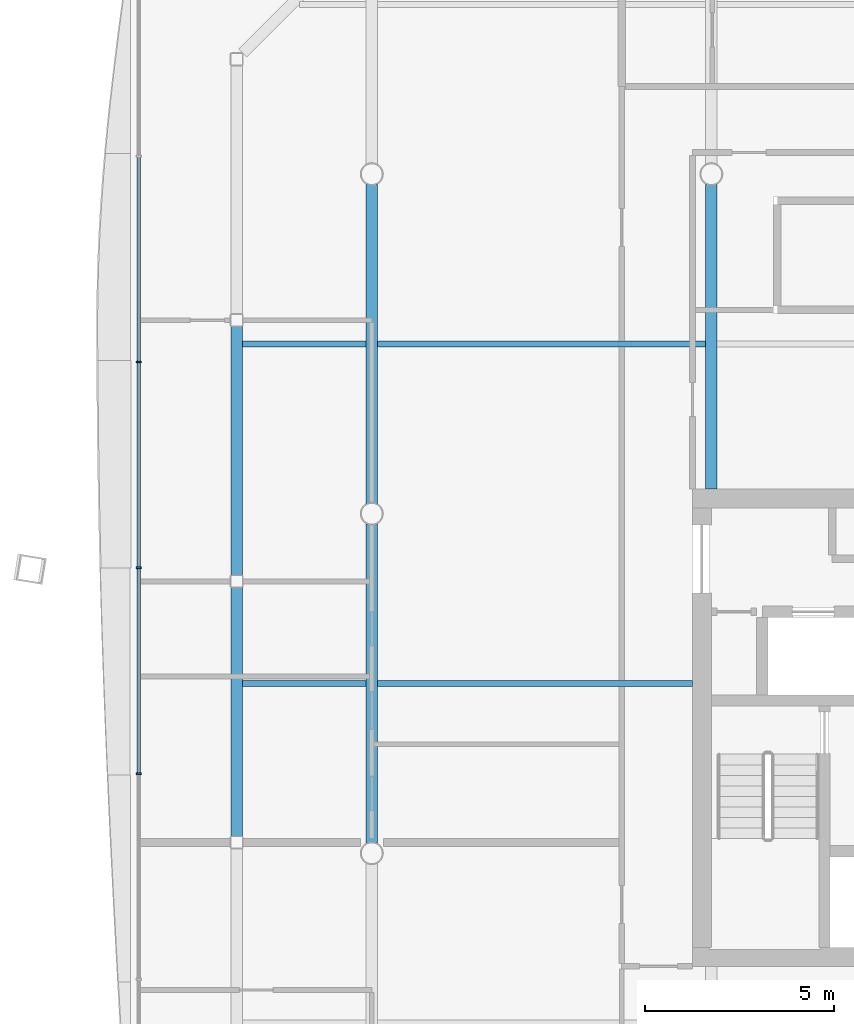
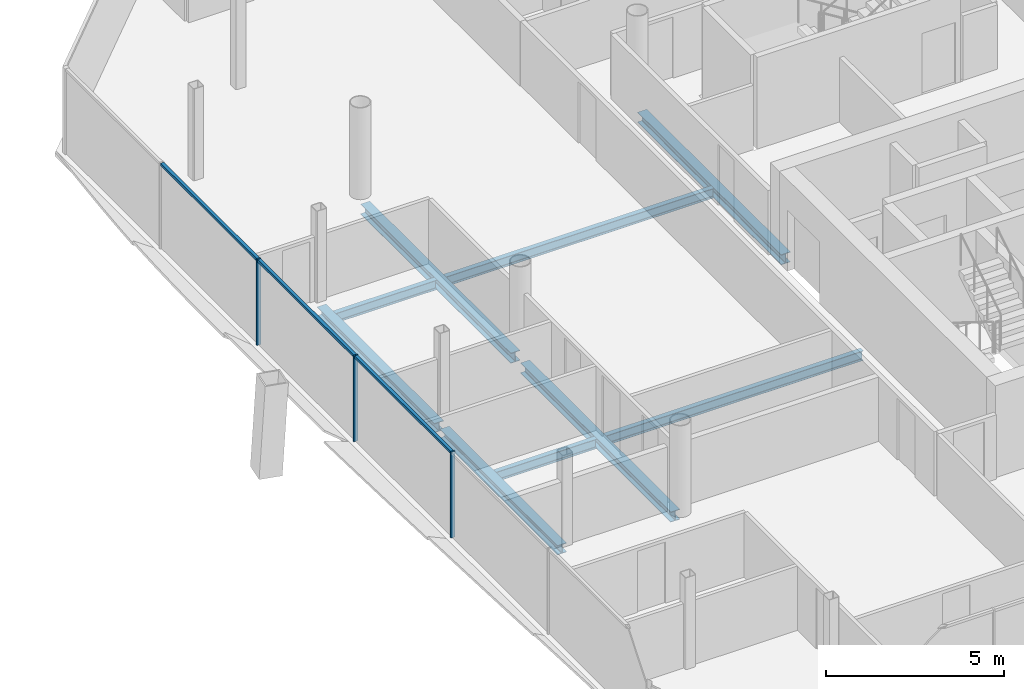
# One storey, part 6 of 20: 9 beams, 6 members, 1 element without a shape of its own.
"""IFC4 building model written with IfcOpenShell, lengths in metres."""

from ifc_helpers import new_model, si_unit, direction, frame, origin, origin_2d, place, context, subcontext, project, spatial, rectangle, i_section, extrude, material, material_profile, profile_set, type_object, element, aggregate, save


model = new_model("IFC4")

# Units and contexts
model_context = context("Model", 3, precision=1e-05, world=origin(), true_north=direction((0.0, 1.0)))
body_context = subcontext(model_context, "Body", "Model", "MODEL_VIEW")
ifc_project = project(units=[si_unit("LENGTHUNIT", "METRE"), si_unit("AREAUNIT", "SQUARE_METRE"), si_unit("VOLUMEUNIT", "CUBIC_METRE"), si_unit("PLANEANGLEUNIT", "RADIAN"), si_unit("MASSUNIT", "GRAM", prefix="KILO")], contexts=[model_context])

# Site, building, storey
site_placement = place(None, origin())
site = spatial("IfcSite", under=ifc_project, at=site_placement, CompositionType="ELEMENT")
building_placement = place(site_placement, origin())
building = spatial("IfcBuilding", under=site, at=building_placement, Name="Tskaro Facet Tower", CompositionType="ELEMENT")
storey_placement = place(building_placement, frame((0.0, 0.0, 175.35009765625)))
storey = spatial("IfcBuildingStorey", under=building, at=storey_placement, Name="L43", CompositionType="ELEMENT", Elevation=175.35009765625)

# Curtain wall, members
ifc_material_1 = material(Name="Bronze anodised aluminium 6063-T6", Category="aluminium")
curtain_wall_type = type_object("IfcCurtainWallType", Name="Bronze residence curtain wall (FW3)", PredefinedType="NOTDEFINED", material=ifc_material_1)
curtain_wall_placement = place(storey_placement, origin())
curtain_wall = element("IfcCurtainWall", 1, at=curtain_wall_placement, inside=storey, type_object=curtain_wall_type, Name="FW3 west facet L43", PredefinedType="NOTDEFINED")
ifc_material_profile_1 = material_profile(ifc_material_1, rectangle(XDim=0.050048828125, YDim=0.139892578125, at=origin_2d()), Name="Mullion 50x140")
ifc_profile_set_1 = profile_set([ifc_material_profile_1], Name="Bronze anodised aluminium 6063-T6")
member_type_1 = type_object("IfcMemberType", Name="FW3 bronze mullion 50x140", PredefinedType="MULLION", material=ifc_profile_set_1)
member_1_placement = place(storey_placement, frame((-24.176025390625, 4.020751953125, 0.0), z_axis=(0.0, 0.0, 1.0), x_axis=(0.0, -1.0, 0.0)))
member_1 = element("IfcMember", 2, at=member_1_placement, type_object=member_type_1, Name="FW3 west mullion 2", PredefinedType="MULLION", context=body_context, shape_type="SweptSolid", body=[
    extrude(rectangle(XDim=0.050048828125, YDim=0.139892578125, at=origin_2d()), origin(), (0.0, 0.0, 1.0), 2.949951171875),
])
member_2_placement = place(storey_placement, frame((-24.176025390625, -1.4345703125, 0.0), z_axis=(0.0, 0.0, 1.0), x_axis=(0.0, -1.0, 0.0)))
member_2 = element("IfcMember", 3, at=member_2_placement, type_object=member_type_1, Name="FW3 west mullion 3", PredefinedType="MULLION", context=body_context, shape_type="SweptSolid", body=[
    extrude(rectangle(XDim=0.050048828125, YDim=0.139892578125, at=origin_2d()), origin(), (0.0, 0.0, 1.0), 2.949951171875),
])
member_3_placement = place(storey_placement, frame((-24.176025390625, -6.8896484375, 0.0), z_axis=(0.0, 0.0, 1.0), x_axis=(0.0, -1.0, 0.0)))
member_3 = element("IfcMember", 4, at=member_3_placement, type_object=member_type_1, Name="FW3 west mullion 4", PredefinedType="MULLION", context=body_context, shape_type="SweptSolid", body=[
    extrude(rectangle(XDim=0.050048828125, YDim=0.139892578125, at=origin_2d()), origin(), (0.0, 0.0, 1.0), 2.949951171875),
])
ifc_material_profile_2 = material_profile(ifc_material_1, rectangle(XDim=0.10009765625, YDim=0.090087890625, at=origin_2d()), Name="Transom 100x90")
ifc_profile_set_2 = profile_set([ifc_material_profile_2], Name="Bronze anodised aluminium 6063-T6")
member_type_2 = type_object("IfcMemberType", Name="FW3 bronze transom 100x90", PredefinedType="USERDEFINED", material=ifc_profile_set_2)
member_4_placement = place(storey_placement, frame((-24.176025390625, 9.450927734375, 2.90478515625), z_axis=(0.0, -1.0, 0.0), x_axis=(1.0, 0.0, 0.0)))
member_4 = element("IfcMember", 5, at=member_4_placement, type_object=member_type_2, Name="FW3 west transom 2.1", ObjectType="TRANSOM", PredefinedType="USERDEFINED", context=body_context, shape_type="SweptSolid", body=[
    extrude(rectangle(XDim=0.10009765625, YDim=0.090087890625, at=origin_2d()), origin(), (0.0, 0.0, 1.0), 5.4052734375),
])
member_5_placement = place(storey_placement, frame((-24.176025390625, 3.99560546875, 2.90478515625), z_axis=(0.0, -1.0, 0.0), x_axis=(1.0, 0.0, 0.0)))
member_5 = element("IfcMember", 6, at=member_5_placement, type_object=member_type_2, Name="FW3 west transom 3.1", ObjectType="TRANSOM", PredefinedType="USERDEFINED", context=body_context, shape_type="SweptSolid", body=[
    extrude(rectangle(XDim=0.10009765625, YDim=0.090087890625, at=origin_2d()), origin(), (0.0, 0.0, 1.0), 5.405029296875),
])
member_6_placement = place(storey_placement, frame((-24.176025390625, -1.45947265625, 2.90478515625), z_axis=(0.0, -1.0, 0.0), x_axis=(1.0, 0.0, 0.0)))
member_6 = element("IfcMember", 7, at=member_6_placement, type_object=member_type_2, Name="FW3 west transom 4.1", ObjectType="TRANSOM", PredefinedType="USERDEFINED", context=body_context, shape_type="SweptSolid", body=[
    extrude(rectangle(XDim=0.10009765625, YDim=0.090087890625, at=origin_2d()), origin(), (0.0, 0.0, 1.0), 5.4052734375),
])
aggregate(curtain_wall, [member_1, member_2, member_3, member_4, member_5, member_6])

# Beams
ifc_material_2 = material(Name="Steel S355J2", Category="steel")
ifc_material_profile_3 = material_profile(ifc_material_2, i_section(OverallWidth=0.300048828125, OverallDepth=0.320068359375, WebThickness=0.011474609375, FlangeThickness=0.0205078125, FilletRadius=0.027099609375, at=origin_2d()), Name="HE 320 B")
ifc_profile_set_3 = profile_set([ifc_material_profile_3], Name="Steel S355J2")
beam_type_1 = type_object("IfcBeamType", Name="HE 320 B ring beam", PredefinedType="BEAM", material=ifc_profile_set_3)
beam_1_placement = place(storey_placement, frame((-21.5830078125, 4.970947265625, -0.300048828125), z_axis=(0.0, -1.0, 0.0), x_axis=(1.0, 0.0, 0.0)))
element("IfcBeam", 8, at=beam_1_placement, inside=storey, type_object=beam_type_1, Name="HE 320 B EB18-4", PredefinedType="BEAM", context=body_context, shape_type="SweptSolid", body=[
    extrude(i_section(OverallWidth=0.300048828125, OverallDepth=0.320068359375, WebThickness=0.011474609375, FlangeThickness=0.0205078125, FilletRadius=0.027099609375, at=origin_2d()), origin(), (0.0, 0.0, 1.0), 6.60888671875),
])
beam_2_placement = place(storey_placement, frame((-21.5830078125, -1.947998046875, -0.300048828125), z_axis=(0.0, -1.0, 0.0), x_axis=(1.0, 0.0, 0.0)))
element("IfcBeam", 9, at=beam_2_placement, inside=storey, type_object=beam_type_1, Name="HE 320 B EB19-4", PredefinedType="BEAM", context=body_context, shape_type="SweptSolid", body=[
    extrude(i_section(OverallWidth=0.300048828125, OverallDepth=0.320068359375, WebThickness=0.011474609375, FlangeThickness=0.0205078125, FilletRadius=0.027099609375, at=origin_2d()), origin(), (0.0, 0.0, 1.0), 6.610107421875),
])
ifc_material_profile_4 = material_profile(ifc_material_2, i_section(OverallWidth=0.300048828125, OverallDepth=0.35009765625, WebThickness=0.010009765625, FlangeThickness=0.017578125, FilletRadius=0.027099609375, at=origin_2d()), Name="HE 360 A")
ifc_profile_set_4 = profile_set([ifc_material_profile_4], Name="Steel S355J2")
beam_type_2 = type_object("IfcBeamType", Name="HE 360 A girder", PredefinedType="BEAM", material=ifc_profile_set_4)
for number, where, z_axis, x_axis, name in (
    (10, (-18.0, -8.72509765625, -0.315185546875), (0.0, 1.0, 0.0), (-1.0, 0.0, 0.0), "HE 360 A GB2-2-4"),
    (11, (-18.0, 0.27490234375, -0.315185546875), (0.0, 1.0, 0.0), (-1.0, 0.0, 0.0), "HE 360 A GB2-3-4"),
):
    element("IfcBeam", number, at=place(storey_placement, frame(where, z_axis=z_axis, x_axis=x_axis)), inside=storey, type_object=beam_type_2, Name=name, PredefinedType="BEAM", context=body_context, shape_type="SweptSolid", body=[
        extrude(i_section(OverallWidth=0.300048828125, OverallDepth=0.35009765625, WebThickness=0.010009765625, FlangeThickness=0.017578125, FilletRadius=0.027099609375, at=origin_2d()), origin(), (0.0, 0.0, 1.0), 8.4501953125),
    ])
beam_3_placement = place(storey_placement, frame((-9.0, 0.64990234375, -0.315185546875), z_axis=(0.0, 1.0, 0.0), x_axis=(-1.0, 0.0, 0.0)))
element("IfcBeam", 12, at=beam_3_placement, inside=storey, type_object=beam_type_2, Name="HE 360 A GB3-2-4", PredefinedType="BEAM", context=body_context, shape_type="SweptSolid", body=[
    extrude(i_section(OverallWidth=0.300048828125, OverallDepth=0.35009765625, WebThickness=0.010009765625, FlangeThickness=0.017578125, FilletRadius=0.027099609375, at=origin_2d()), origin(), (0.0, 0.0, 1.0), 8.0751953125),
])
ifc_material_profile_5 = material_profile(ifc_material_2, i_section(OverallWidth=0.159912109375, OverallDepth=0.330078125, WebThickness=0.007568359375, FlangeThickness=0.011474609375, FilletRadius=0.01806640625, at=origin_2d()), Name="IPE 330")
ifc_profile_set_5 = profile_set([ifc_material_profile_5], Name="Steel S355J2")
beam_type_3 = type_object("IfcBeamType", Name="IPE 330 secondary beam", PredefinedType="BEAM", material=ifc_profile_set_5)
beam_4_placement = place(storey_placement, frame((-21.43310546875, -4.5, -0.30517578125), z_axis=(1.0, 0.0, 0.0), x_axis=(0.0, 1.0, 0.0)))
element("IfcBeam", 13, at=beam_4_placement, inside=storey, type_object=beam_type_3, Name="IPE 330 SB3a-1-4", PredefinedType="BEAM", context=body_context, shape_type="SweptSolid", body=[
    extrude(i_section(OverallWidth=0.159912109375, OverallDepth=0.330078125, WebThickness=0.007568359375, FlangeThickness=0.011474609375, FilletRadius=0.01806640625, at=origin_2d()), origin(), (0.0, 0.0, 1.0), 3.283203125),
])
beam_5_placement = place(storey_placement, frame((-17.85009765625, -4.5, -0.30517578125), z_axis=(1.0, 0.0, 0.0), x_axis=(0.0, 1.0, 0.0)))
element("IfcBeam", 14, at=beam_5_placement, inside=storey, type_object=beam_type_3, Name="IPE 330 SB3a-2-4", PredefinedType="BEAM", context=body_context, shape_type="SweptSolid", body=[
    extrude(i_section(OverallWidth=0.159912109375, OverallDepth=0.330078125, WebThickness=0.007568359375, FlangeThickness=0.011474609375, FilletRadius=0.01806640625, at=origin_2d()), origin(), (0.0, 0.0, 1.0), 8.35009765625),
])
beam_6_placement = place(storey_placement, frame((-21.43310546875, 4.5, -0.30517578125), z_axis=(1.0, 0.0, 0.0), x_axis=(0.0, 1.0, 0.0)))
element("IfcBeam", 15, at=beam_6_placement, inside=storey, type_object=beam_type_3, Name="IPE 330 SB4a-1-4", PredefinedType="BEAM", context=body_context, shape_type="SweptSolid", body=[
    extrude(i_section(OverallWidth=0.159912109375, OverallDepth=0.330078125, WebThickness=0.007568359375, FlangeThickness=0.011474609375, FilletRadius=0.01806640625, at=origin_2d()), origin(), (0.0, 0.0, 1.0), 3.283203125),
])
beam_7_placement = place(storey_placement, frame((-17.85009765625, 4.5, -0.30517578125), z_axis=(1.0, 0.0, 0.0), x_axis=(0.0, 1.0, 0.0)))
element("IfcBeam", 16, at=beam_7_placement, inside=storey, type_object=beam_type_3, Name="IPE 330 SB4a-2-4", PredefinedType="BEAM", context=body_context, shape_type="SweptSolid", body=[
    extrude(i_section(OverallWidth=0.159912109375, OverallDepth=0.330078125, WebThickness=0.007568359375, FlangeThickness=0.011474609375, FilletRadius=0.01806640625, at=origin_2d()), origin(), (0.0, 0.0, 1.0), 8.7001953125),
])

save(model, "model.ifc")
